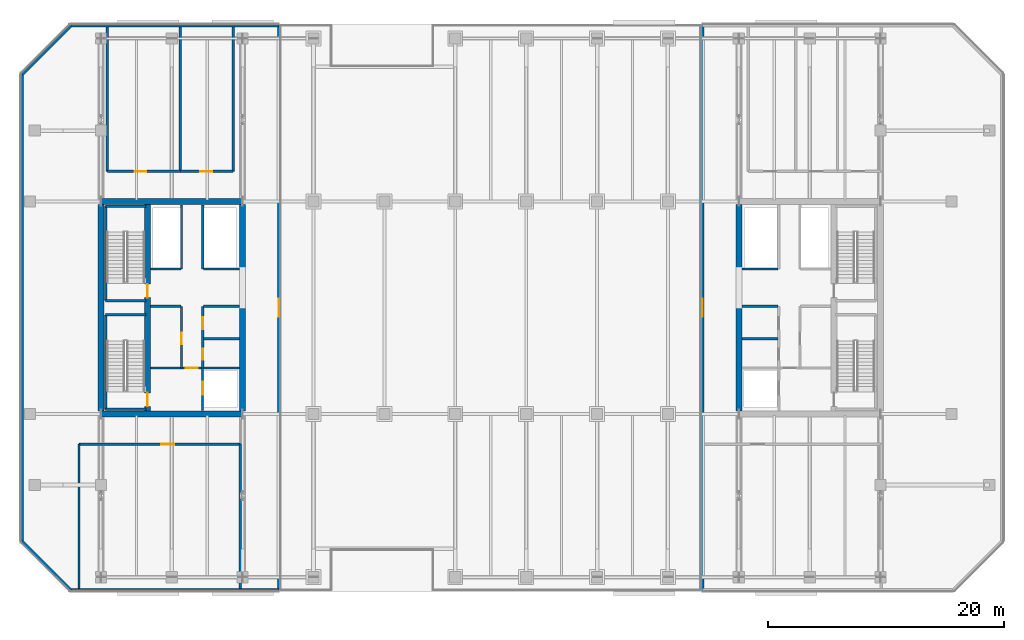
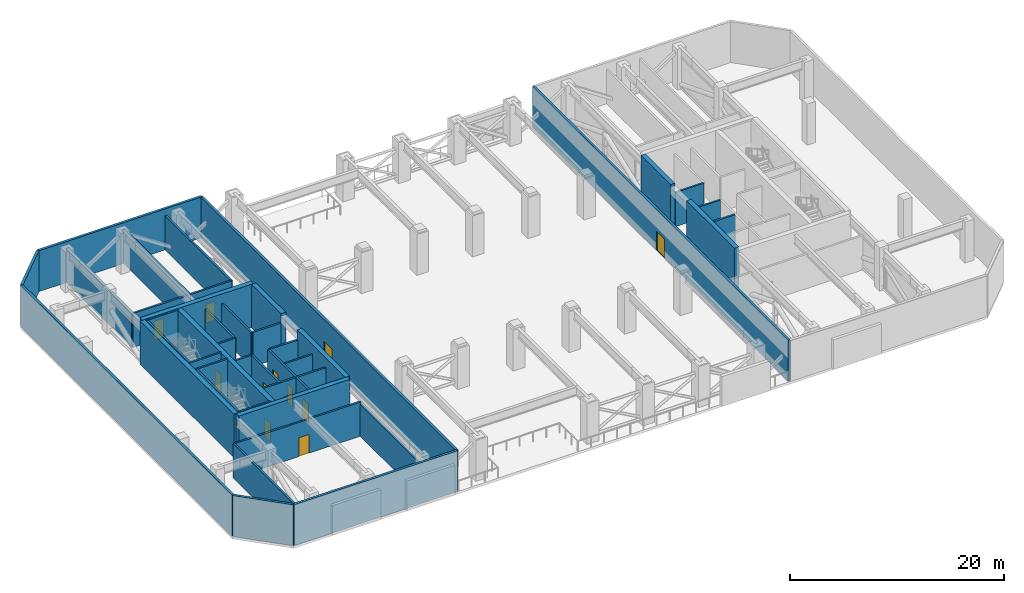
# One storey, part 13 of 21: 43 walls, 12 doors, 12 openings.
"""IFC4 building model written with IfcOpenShell, lengths in metres."""

from ifc_helpers import new_model, si_unit, direction, frame, frame_2d, origin, place, context, subcontext, project, spatial, rectangle, extrude, material, layer, layer_set, type_object, element, fill, save


model = new_model("IFC4")

# Units and contexts
model_context = context("Model", 3, precision=1e-05, world=origin(), true_north=direction((0.0, 1.0)))
body_context = subcontext(model_context, "Body", "Model", "MODEL_VIEW")
ifc_project = project(units=[si_unit("LENGTHUNIT", "METRE"), si_unit("AREAUNIT", "SQUARE_METRE"), si_unit("VOLUMEUNIT", "CUBIC_METRE"), si_unit("PLANEANGLEUNIT", "RADIAN"), si_unit("MASSUNIT", "GRAM", prefix="KILO")], contexts=[model_context])

# Site, building, storey
site_placement = place(None, origin())
site = spatial("IfcSite", under=ifc_project, at=site_placement, CompositionType="ELEMENT")
building_placement = place(site_placement, origin())
building = spatial("IfcBuilding", under=site, at=building_placement, Name="Tanjung Sevakor Pilgrim Tower", CompositionType="ELEMENT")
storey_placement = place(building_placement, frame((0.0, 0.0, 123.090087890625)))
storey = spatial("IfcBuildingStorey", under=building, at=storey_placement, Name="L34", CompositionType="ELEMENT", Elevation=123.090087890625)

# Walls
ifc_material_1 = material(Name="Concrete C60/75", Category="concrete")
ifc_layer_1 = layer(ifc_material_1, 0.5)
ifc_layer_set_1 = layer_set([ifc_layer_1], Name="WALL-CW-500")
wall_type_1 = type_object("IfcWallType", Name="WALL-CW-500", PredefinedType="SHEAR", material=ifc_layer_set_1)
for number, where, z_axis, x_axis, name in (
    (1, (24.0, 24.60009765625, 0.0), (0.0, 0.0, 1.0), (1.0, 0.0, 0.0), "L34 W Core South Shear Wall"),
    (2, (36.0, 42.60009765625, 0.0), (0.0, 0.0, 1.0), (-1.0, 0.0, 0.0), "L34 W Core North Shear Wall"),
):
    element("IfcWall", number, at=place(storey_placement, frame(where, z_axis=z_axis, x_axis=x_axis)), inside=storey, type_object=wall_type_1, Name=name, PredefinedType="SHEAR", context=body_context, shape_type="SweptSolid", body=[
        extrude(rectangle(XDim=12.0, YDim=0.5, at=frame_2d((6.0, 0.0))), origin(), (0.0, 0.0, 1.0), 4.949951171875),
    ])
wall_1_placement = place(storey_placement, frame((24.0, 24.85009765625, 0.0), z_axis=(0.0, 0.0, 1.0), x_axis=(0.0, 1.0, 0.0)))
element("IfcWall", 3, at=wall_1_placement, inside=storey, type_object=wall_type_1, Name="L34 W Core Outer Shear Wall", PredefinedType="SHEAR", context=body_context, shape_type="SweptSolid", body=[
    extrude(rectangle(XDim=17.5, YDim=0.5, at=frame_2d((8.75, 0.0))), origin(), (0.0, 0.0, 1.0), 4.949951171875),
])
wall_2_placement = place(storey_placement, frame((36.0, 24.85009765625, 0.0), z_axis=(0.0, 0.0, 1.0), x_axis=(0.0, 1.0, 0.0)))
element("IfcWall", 4, at=wall_2_placement, inside=storey, type_object=wall_type_1, Name="L34 W Core Inner Shear Wall South", PredefinedType="SHEAR", context=body_context, shape_type="SweptSolid", body=[
    extrude(rectangle(XDim=8.949951171875, YDim=0.5, at=frame_2d((4.47509765625, 0.0))), origin(), (0.0, 0.0, 1.0), 4.949951171875),
])
wall_3_placement = place(storey_placement, frame((36.0, 36.800048828125, 0.0), z_axis=(0.0, 0.0, 1.0), x_axis=(0.0, 1.0, 0.0)))
element("IfcWall", 5, at=wall_3_placement, inside=storey, type_object=wall_type_1, Name="L34 W Core Inner Shear Wall North", PredefinedType="SHEAR", context=body_context, shape_type="SweptSolid", body=[
    extrude(rectangle(XDim=5.550048828125, YDim=0.5, at=frame_2d((2.77490234375, 0.0))), origin(), (0.0, 0.0, 1.0), 4.949951171875),
])

# Wall, openings, doors
wall_4_placement = place(storey_placement, frame((27.949951171875, 24.85009765625, 0.0), z_axis=(0.0, 0.0, 1.0), x_axis=(0.0, 1.0, 0.0)))
wall_4 = element("IfcWall", 6, at=wall_4_placement, inside=storey, type_object=wall_type_1, Name="L34 W Core Stair Spine Wall", PredefinedType="SHEAR", context=body_context, shape_type="SweptSolid", body=[
    extrude(rectangle(XDim=17.5, YDim=0.5, at=frame_2d((8.75, 0.0))), origin(), (0.0, 0.0, 1.0), 4.949951171875),
])
opening_1_placement = place(wall_4_placement, frame((0.39990234375, 0.0, 0.0)))
opening_1 = element("IfcOpeningElement", 7, at=opening_1_placement, cuts=wall_4, Name="Opening ID-ST1", PredefinedType="OPENING", context=body_context, shape_type="SweptSolid", body=[
    extrude(rectangle(XDim=1.14990234375, YDim=2.14990234375, at=frame_2d((0.574951171875, 1.074951171875))), frame((0.0, 0.260009765625, 0.0), z_axis=(0.0, -1.0, 0.0), x_axis=(1.0, 0.0, 0.0)), (0.0, 0.0, 1.0), 0.52001953125),
])
opening_2_placement = place(wall_4_placement, frame((9.60009765625, 0.0, 0.0)))
opening_2 = element("IfcOpeningElement", 8, at=opening_2_placement, cuts=wall_4, Name="Opening ID-ST1", PredefinedType="OPENING", context=body_context, shape_type="SweptSolid", body=[
    extrude(rectangle(XDim=1.14990234375, YDim=2.14990234375, at=frame_2d((0.574951171875, 1.074951171875))), frame((0.0, 0.260009765625, 0.0), z_axis=(0.0, -1.0, 0.0), x_axis=(1.0, 0.0, 0.0)), (0.0, 0.0, 1.0), 0.52001953125),
])
ifc_material_2 = material(Name="Fire-Rated Steel S355J2", Category="steel")
door_type_1 = type_object("IfcDoorType", Name="DT-FIRE-1150", OperationType="NOTDEFINED", PredefinedType="DOOR", material=ifc_material_2)
door_1_placement = place(opening_1_placement, origin())
door_1 = element("IfcDoor", 9, at=door_1_placement, inside=storey, type_object=door_type_1, Name="L34 TS-W1 Stair Fire Door", OperationType="SINGLE_SWING_LEFT", OverallHeight=2.14990234375, OverallWidth=1.14990234375, PredefinedType="DOOR", context=body_context, shape_type="SweptSolid", body=[
    extrude(rectangle(XDim=1.14990234375, YDim=2.14990234375, at=frame_2d((0.574951171875, 1.074951171875))), frame((0.0, 0.02490234375, 0.0), z_axis=(0.0, -1.0, 0.0), x_axis=(1.0, 0.0, 0.0)), (0.0, 0.0, 1.0), 0.050048828125),
])
fill(opening_1, door_1)
door_2_placement = place(opening_2_placement, origin())
door_2 = element("IfcDoor", 10, at=door_2_placement, inside=storey, type_object=door_type_1, Name="L34 TS-W2 Stair Fire Door", OperationType="SINGLE_SWING_RIGHT", OverallHeight=2.14990234375, OverallWidth=1.14990234375, PredefinedType="DOOR", context=body_context, shape_type="SweptSolid", body=[
    extrude(rectangle(XDim=1.14990234375, YDim=2.14990234375, at=frame_2d((0.574951171875, 1.074951171875))), frame((0.0, 0.02490234375, 0.0), z_axis=(0.0, -1.0, 0.0), x_axis=(1.0, 0.0, 0.0)), (0.0, 0.0, 1.0), 0.050048828125),
])
fill(opening_2, door_2)

# Walls
wall_5_placement = place(storey_placement, frame((78.0, 24.85009765625, 0.0), z_axis=(0.0, 0.0, 1.0), x_axis=(0.0, 1.0, 0.0)))
element("IfcWall", 11, at=wall_5_placement, inside=storey, type_object=wall_type_1, Name="L34 E Core Inner Shear Wall South", PredefinedType="SHEAR", context=body_context, shape_type="SweptSolid", body=[
    extrude(rectangle(XDim=8.949951171875, YDim=0.5, at=frame_2d((4.47509765625, 0.0))), origin(), (0.0, 0.0, 1.0), 4.949951171875),
])
wall_6_placement = place(storey_placement, frame((78.0, 36.800048828125, 0.0), z_axis=(0.0, 0.0, 1.0), x_axis=(0.0, 1.0, 0.0)))
element("IfcWall", 12, at=wall_6_placement, inside=storey, type_object=wall_type_1, Name="L34 E Core Inner Shear Wall North", PredefinedType="SHEAR", context=body_context, shape_type="SweptSolid", body=[
    extrude(rectangle(XDim=5.550048828125, YDim=0.5, at=frame_2d((2.77490234375, 0.0))), origin(), (0.0, 0.0, 1.0), 4.949951171875),
])
ifc_material_3 = material(Name="Precast concrete C45/55", Category="concrete")
ifc_layer_2 = layer(ifc_material_3, 0.25)
ifc_layer_set_2 = layer_set([ifc_layer_2], Name="WT-EW-STN3")
wall_type_2 = type_object("IfcWallType", Name="WT-EW-STN3", PredefinedType="SOLIDWALL", material=ifc_layer_set_2)
wall_7_placement = place(storey_placement, frame((21.451904296875, 9.72509765625, 0.0), z_axis=(0.0, 0.0, 1.0), x_axis=(1.0, 0.0, 0.0)))
element("IfcWall", 13, at=wall_7_placement, inside=storey, type_object=wall_type_2, Name="L34 West Refuge Wing Wall 1", PredefinedType="SOLIDWALL", context=body_context, shape_type="SweptSolid", body=[
    extrude(rectangle(XDim=17.623046875, YDim=0.25, at=frame_2d((8.8115234375, 0.0))), origin(), (0.0, 0.0, 1.0), 4.669921875),
])

# Wall, opening, door
wall_8_placement = place(storey_placement, frame((39.074951171875, 9.72509765625, 0.0), z_axis=(0.0, 0.0, 1.0), x_axis=(0.0, 1.0, 0.0)))
wall_8 = element("IfcWall", 14, at=wall_8_placement, inside=storey, type_object=wall_type_2, Name="L34 West Refuge Wing Wall 2", PredefinedType="SOLIDWALL", context=body_context, shape_type="SweptSolid", body=[
    extrude(rectangle(XDim=47.75, YDim=0.25, at=frame_2d((23.875, 0.0))), origin(), (0.0, 0.0, 1.0), 4.669921875),
])
opening_3_placement = place(wall_8_placement, frame((23.125, 0.0, 0.0)))
opening_3 = element("IfcOpeningElement", 15, at=opening_3_placement, cuts=wall_8, Name="Opening ED-TER-1500", PredefinedType="OPENING", context=body_context, shape_type="SweptSolid", body=[
    extrude(rectangle(XDim=1.5, YDim=2.199951171875, at=frame_2d((0.75, 1.10009765625))), frame((0.0, 0.135009765625, 0.0), z_axis=(0.0, -1.0, 0.0), x_axis=(1.0, 0.0, 0.0)), (0.0, 0.0, 1.0), 0.27001953125),
])
ifc_material_4 = material(Name="Anodised Aluminium and Laminated Glass", Category="aluminium")
door_type_2 = type_object("IfcDoorType", Name="DTYP-ED-TER-1500", OperationType="DOUBLE_DOOR_SINGLE_SWING", PredefinedType="DOOR", material=ifc_material_4)
door_3_placement = place(opening_3_placement, origin())
door_3 = element("IfcDoor", 16, at=door_3_placement, inside=storey, type_object=door_type_2, Name="L34 West Turbine Portal Door", OperationType="SINGLE_SWING_RIGHT", OverallHeight=2.199951171875, OverallWidth=1.5, PredefinedType="DOOR", context=body_context, shape_type="SweptSolid", body=[
    extrude(rectangle(XDim=1.5, YDim=2.199951171875, at=frame_2d((0.75, 1.10009765625))), frame((0.0, 0.02490234375, 0.0), z_axis=(0.0, -1.0, 0.0), x_axis=(1.0, 0.0, 0.0)), (0.0, 0.0, 1.0), 0.050048828125),
])
fill(opening_3, door_3)

# Walls
wall_9_placement = place(storey_placement, frame((39.074951171875, 57.47509765625, 0.0), z_axis=(0.0, 0.0, 1.0), x_axis=(-1.0, 0.0, 0.0)))
element("IfcWall", 17, at=wall_9_placement, inside=storey, type_object=wall_type_2, Name="L34 West Refuge Wing Wall 3", PredefinedType="SOLIDWALL", context=body_context, shape_type="SweptSolid", body=[
    extrude(rectangle(XDim=17.623046875, YDim=0.25, at=frame_2d((8.8115234375, 0.0))), origin(), (0.0, 0.0, 1.0), 4.669921875),
])
wall_10_placement = place(storey_placement, frame((21.451904296875, 57.47509765625, 0.0), z_axis=(0.0, 0.0, 1.0), x_axis=(-0.707106781187, -0.707106781187, 0.0)))
element("IfcWall", 18, at=wall_10_placement, inside=storey, type_object=wall_type_2, Name="L34 West Refuge Wing Wall 4", PredefinedType="SOLIDWALL", context=body_context, shape_type="SweptSolid", body=[
    extrude(rectangle(XDim=5.83642578125, YDim=0.25, at=frame_2d((2.918212890625, 0.0))), origin(), (0.0, 0.0, 1.0), 4.669921875),
])
wall_11_placement = place(storey_placement, frame((17.324951171875, 53.34814453125, 0.0), z_axis=(0.0, 0.0, 1.0), x_axis=(0.0, -1.0, 0.0)))
element("IfcWall", 19, at=wall_11_placement, inside=storey, type_object=wall_type_2, Name="L34 West Refuge Wing Wall 5", PredefinedType="SOLIDWALL", context=body_context, shape_type="SweptSolid", body=[
    extrude(rectangle(XDim=39.496337890625, YDim=0.25, at=frame_2d((19.748046875, 0.0))), origin(), (0.0, 0.0, 1.0), 4.669921875),
])
wall_12_placement = place(storey_placement, frame((17.324951171875, 13.851806640625, 0.0), z_axis=(0.0, 0.0, 1.0), x_axis=(0.707127696864, -0.70708586489, 0.0)))
element("IfcWall", 20, at=wall_12_placement, inside=storey, type_object=wall_type_2, Name="L34 West Refuge Wing Wall 6", PredefinedType="SOLIDWALL", context=body_context, shape_type="SweptSolid", body=[
    extrude(rectangle(XDim=5.836181640625, YDim=0.25, at=frame_2d((2.91796875, 0.0))), origin(), (0.0, 0.0, 1.0), 4.669921875),
])

# Wall, opening, door
wall_13_placement = place(storey_placement, frame((74.925048828125, 57.47509765625, 0.0), z_axis=(0.0, 0.0, 1.0), x_axis=(0.0, -1.0, 0.0)))
wall_13 = element("IfcWall", 21, at=wall_13_placement, inside=storey, type_object=wall_type_2, Name="L34 East Refuge Wing Wall 6", PredefinedType="SOLIDWALL", context=body_context, shape_type="SweptSolid", body=[
    extrude(rectangle(XDim=47.75, YDim=0.25, at=frame_2d((23.875, 0.0))), origin(), (0.0, 0.0, 1.0), 4.669921875),
])
opening_4_placement = place(wall_13_placement, frame((23.125, 0.0, 0.0)))
opening_4 = element("IfcOpeningElement", 22, at=opening_4_placement, cuts=wall_13, Name="Opening ED-TER-1500", PredefinedType="OPENING", context=body_context, shape_type="SweptSolid", body=[
    extrude(rectangle(XDim=1.5, YDim=2.199951171875, at=frame_2d((0.75, 1.10009765625))), frame((0.0, 0.135009765625, 0.0), z_axis=(0.0, -1.0, 0.0), x_axis=(1.0, 0.0, 0.0)), (0.0, 0.0, 1.0), 0.27001953125),
])
door_4_placement = place(opening_4_placement, origin())
door_4 = element("IfcDoor", 23, at=door_4_placement, inside=storey, type_object=door_type_2, Name="L34 East Turbine Portal Door", OperationType="SINGLE_SWING_LEFT", OverallHeight=2.199951171875, OverallWidth=1.5, PredefinedType="DOOR", context=body_context, shape_type="SweptSolid", body=[
    extrude(rectangle(XDim=1.5, YDim=2.199951171875, at=frame_2d((0.75, 1.10009765625))), frame((0.0, 0.02490234375, 0.0), z_axis=(0.0, -1.0, 0.0), x_axis=(1.0, 0.0, 0.0)), (0.0, 0.0, 1.0), 0.050048828125),
])
fill(opening_4, door_4)

# Walls
ifc_material_5 = material(Name="Concrete C40/50", Category="concrete")
ifc_layer_3 = layer(ifc_material_5, 0.199951171875)
ifc_layer_set_3 = layer_set([ifc_layer_3], Name="WT-FIRE-200")
wall_type_3 = type_object("IfcWallType", Name="WT-FIRE-200", PredefinedType="SOLIDWALL", material=ifc_layer_set_3)
for number, where, z_axis, x_axis, name in (
    (24, (24.39990234375, 25.0, 0.0), (0.0, 0.0, 1.0), (1.0, 0.0, 0.0), "L34 TS-W1 Shaft Wall 1"),
    (25, (27.800048828125, 33.0, 0.0), (0.0, 0.0, 1.0), (-1.0, 0.0, 0.0), "L34 TS-W1 Shaft Wall 2"),
):
    element("IfcWall", number, at=place(storey_placement, frame(where, z_axis=z_axis, x_axis=x_axis)), inside=storey, type_object=wall_type_3, Name=name, PredefinedType="SOLIDWALL", context=body_context, shape_type="SweptSolid", body=[
        extrude(rectangle(XDim=3.400146484375, YDim=0.199951171875, at=frame_2d((1.7001953125, 0.0))), origin(), (0.0, 0.0, 1.0), 4.949951171875),
    ])
wall_14_placement = place(storey_placement, frame((24.39990234375, 33.0, 0.0), z_axis=(0.0, 0.0, 1.0), x_axis=(0.0, -1.0, 0.0)))
element("IfcWall", 26, at=wall_14_placement, inside=storey, type_object=wall_type_3, Name="L34 TS-W1 Shaft Wall 3", PredefinedType="SOLIDWALL", context=body_context, shape_type="SweptSolid", body=[
    extrude(rectangle(XDim=8.0, YDim=0.199951171875, at=frame_2d((4.0, 0.0))), origin(), (0.0, 0.0, 1.0), 4.949951171875),
])
for number, where, z_axis, x_axis, name in (
    (27, (24.39990234375, 34.199951171875, 0.0), (0.0, 0.0, 1.0), (1.0, 0.0, 0.0), "L34 TS-W2 Shaft Wall 1"),
    (28, (27.800048828125, 42.199951171875, 0.0), (0.0, 0.0, 1.0), (-1.0, 0.0, 0.0), "L34 TS-W2 Shaft Wall 2"),
):
    element("IfcWall", number, at=place(storey_placement, frame(where, z_axis=z_axis, x_axis=x_axis)), inside=storey, type_object=wall_type_3, Name=name, PredefinedType="SOLIDWALL", context=body_context, shape_type="SweptSolid", body=[
        extrude(rectangle(XDim=3.400146484375, YDim=0.199951171875, at=frame_2d((1.7001953125, 0.0))), origin(), (0.0, 0.0, 1.0), 4.949951171875),
    ])
wall_15_placement = place(storey_placement, frame((24.39990234375, 42.199951171875, 0.0), z_axis=(0.0, 0.0, 1.0), x_axis=(0.0, -1.0, 0.0)))
element("IfcWall", 29, at=wall_15_placement, inside=storey, type_object=wall_type_3, Name="L34 TS-W2 Shaft Wall 3", PredefinedType="SOLIDWALL", context=body_context, shape_type="SweptSolid", body=[
    extrude(rectangle(XDim=8.0, YDim=0.199951171875, at=frame_2d((4.0, 0.0))), origin(), (0.0, 0.0, 1.0), 4.949951171875),
])

# Wall, opening, door
ifc_material_6 = material(Name="Concrete C40/50", Category="concrete")
ifc_layer_4 = layer(ifc_material_6, 0.199951171875)
ifc_layer_set_4 = layer_set([ifc_layer_4], Name="WT-FPRT-200")
wall_type_4 = type_object("IfcWallType", Name="WT-FPRT-200", PredefinedType="SOLIDWALL", material=ifc_layer_set_4)
wall_16_placement = place(storey_placement, frame((32.60009765625, 24.919921875, 0.0), z_axis=(0.0, 0.0, 1.0), x_axis=(0.0, 1.0, 0.0)))
wall_16 = element("IfcWall", 30, at=wall_16_placement, inside=storey, type_object=wall_type_4, Name="L34 Partition IW-L34-001", PredefinedType="SOLIDWALL", context=body_context, shape_type="SweptSolid", body=[
    extrude(rectangle(XDim=3.580078125, YDim=0.199951171875, at=frame_2d((1.7900390625, 0.0))), origin(), (0.0, 0.0, 1.0), 3.889892578125),
])
opening_5_placement = place(wall_16_placement, frame((1.300048828125, 0.0, 0.0)))
opening_5 = element("IfcOpeningElement", 31, at=opening_5_placement, cuts=wall_16, Name="Opening LD-1100", PredefinedType="OPENING", context=body_context, shape_type="SweptSolid", body=[
    extrude(rectangle(XDim=1.10009765625, YDim=2.199951171875, at=frame_2d((0.550048828125, 1.10009765625))), frame((0.0, 0.10986328125, 0.0), z_axis=(0.0, -1.0, 0.0), x_axis=(1.0, 0.0, 0.0)), (0.0, 0.0, 1.0), 0.219970703125),
])
ifc_material_7 = material(Name="Brushed Stainless Steel S355J2", Category="steel")
door_type_3 = type_object("IfcDoorType", Name="DT-LIFT-1100", OperationType="SLIDING_TO_LEFT", PredefinedType="DOOR", material=ifc_material_7)
door_5_placement = place(opening_5_placement, origin())
door_5 = element("IfcDoor", 32, at=door_5_placement, inside=storey, type_object=door_type_3, Name="LD-FL-W", OperationType="SLIDING_TO_LEFT", OverallHeight=2.199951171875, OverallWidth=1.10009765625, PredefinedType="DOOR", context=body_context, shape_type="SweptSolid", body=[
    extrude(rectangle(XDim=1.10009765625, YDim=2.199951171875, at=frame_2d((0.550048828125, 1.10009765625))), frame((0.0, 0.02490234375, 0.0), z_axis=(0.0, -1.0, 0.0), x_axis=(1.0, 0.0, 0.0)), (0.0, 0.0, 1.0), 0.050048828125),
])
fill(opening_5, door_5)

wall_17_placement = place(storey_placement, frame((28.219970703125, 28.5, 0.0), z_axis=(0.0, 0.0, 1.0), x_axis=(1.0, 0.0, 0.0)))
wall_17 = element("IfcWall", 33, at=wall_17_placement, inside=storey, type_object=wall_type_4, Name="L34 Partition IW-L34-002", PredefinedType="SOLIDWALL", context=body_context, shape_type="SweptSolid", body=[
    extrude(rectangle(XDim=7.510009765625, YDim=0.199951171875, at=frame_2d((3.7548828125, 0.0))), origin(), (0.0, 0.0, 1.0), 3.889892578125),
])
opening_6_placement = place(wall_17_placement, frame((2.97998046875, 0.0, 0.0)))
opening_6 = element("IfcOpeningElement", 34, at=opening_6_placement, cuts=wall_17, Name="Opening ID-FD1", PredefinedType="OPENING", context=body_context, shape_type="SweptSolid", body=[
    extrude(rectangle(XDim=1.0, YDim=2.14990234375, at=frame_2d((0.5, 1.074951171875))), frame((0.0, 0.10986328125, 0.0), z_axis=(0.0, -1.0, 0.0), x_axis=(1.0, 0.0, 0.0)), (0.0, 0.0, 1.0), 0.219970703125),
])
ifc_material_8 = material(Name="Fire-Rated Steel S355J2", Category="steel")
door_type_4 = type_object("IfcDoorType", Name="DT-FIRE-1000", OperationType="NOTDEFINED", PredefinedType="DOOR", material=ifc_material_8)
door_6_placement = place(opening_6_placement, origin())
door_6 = element("IfcDoor", 35, at=door_6_placement, inside=storey, type_object=door_type_4, Name="Fire Lobby Door W", OperationType="SINGLE_SWING_LEFT", OverallHeight=2.14990234375, OverallWidth=1.0, PredefinedType="DOOR", context=body_context, shape_type="SweptSolid", body=[
    extrude(rectangle(XDim=1.0, YDim=2.14990234375, at=frame_2d((0.5, 1.074951171875))), frame((0.0, 0.02490234375, 0.0), z_axis=(0.0, -1.0, 0.0), x_axis=(1.0, 0.0, 0.0)), (0.0, 0.0, 1.0), 0.050048828125),
])
fill(opening_6, door_6)

# Wall
wall_18_placement = place(storey_placement, frame((28.219970703125, 33.719970703125, 0.0), z_axis=(0.0, 0.0, 1.0), x_axis=(1.0, 0.0, 0.0)))
element("IfcWall", 36, at=wall_18_placement, inside=storey, type_object=wall_type_4, Name="L34 Partition IW-L34-003", PredefinedType="SOLIDWALL", context=body_context, shape_type="SweptSolid", body=[
    extrude(rectangle(XDim=2.580078125, YDim=0.199951171875, at=frame_2d((1.2900390625, 0.0))), origin(), (0.0, 0.0, 1.0), 3.889892578125),
])

# Wall, opening, door
wall_19_placement = place(storey_placement, frame((30.820068359375, 28.5, 0.0), z_axis=(0.0, 0.0, 1.0), x_axis=(0.0, 1.0, 0.0)))
wall_19 = element("IfcWall", 37, at=wall_19_placement, inside=storey, type_object=wall_type_4, Name="L34 Partition IW-L34-004", PredefinedType="SOLIDWALL", context=body_context, shape_type="SweptSolid", body=[
    extrude(rectangle(XDim=5.219970703125, YDim=0.199951171875, at=frame_2d((2.60986328125, 0.0))), origin(), (0.0, 0.0, 1.0), 3.889892578125),
])
opening_7_placement = place(wall_19_placement, frame((2.0, 0.0, 0.0)))
opening_7 = element("IfcOpeningElement", 38, at=opening_7_placement, cuts=wall_19, Name="Opening ID-FD1", PredefinedType="OPENING", context=body_context, shape_type="SweptSolid", body=[
    extrude(rectangle(XDim=1.0, YDim=2.14990234375, at=frame_2d((0.5, 1.074951171875))), frame((0.0, 0.10986328125, 0.0), z_axis=(0.0, -1.0, 0.0), x_axis=(1.0, 0.0, 0.0)), (0.0, 0.0, 1.0), 0.219970703125),
])
door_7_placement = place(opening_7_placement, origin())
door_7 = element("IfcDoor", 39, at=door_7_placement, inside=storey, type_object=door_type_4, Name="L34 Core Plant Door", OperationType="SINGLE_SWING_RIGHT", OverallHeight=2.14990234375, OverallWidth=1.0, PredefinedType="DOOR", context=body_context, shape_type="SweptSolid", body=[
    extrude(rectangle(XDim=1.0, YDim=2.14990234375, at=frame_2d((0.5, 1.074951171875))), frame((0.0, 0.02490234375, 0.0), z_axis=(0.0, -1.0, 0.0), x_axis=(1.0, 0.0, 0.0)), (0.0, 0.0, 1.0), 0.050048828125),
])
fill(opening_7, door_7)

# Walls
for number, where, z_axis, x_axis, name in (
    (40, (32.679931640625, 30.97998046875, 0.0), (0.0, 0.0, 1.0), (1.0, 0.0, 0.0), "L34 Partition IW-L34-005"),
    (41, (32.679931640625, 33.719970703125, 0.0), (0.0, 0.0, 1.0), (1.0, 0.0, 0.0), "L34 Partition IW-L34-006"),
):
    element("IfcWall", number, at=place(storey_placement, frame(where, z_axis=z_axis, x_axis=x_axis)), inside=storey, type_object=wall_type_4, Name=name, PredefinedType="SOLIDWALL", context=body_context, shape_type="SweptSolid", body=[
        extrude(rectangle(XDim=3.050048828125, YDim=0.199951171875, at=frame_2d((1.52490234375, 0.0))), origin(), (0.0, 0.0, 1.0), 3.889892578125),
    ])

# Wall, openings, doors
wall_20_placement = place(storey_placement, frame((32.6201171875, 28.5, 0.0), z_axis=(0.0, 0.0, 1.0), x_axis=(0.0, 1.0, 0.0)))
wall_20 = element("IfcWall", 42, at=wall_20_placement, inside=storey, type_object=wall_type_4, Name="L34 Partition IW-L34-007", PredefinedType="SOLIDWALL", context=body_context, shape_type="SweptSolid", body=[
    extrude(rectangle(XDim=5.219970703125, YDim=0.199951171875, at=frame_2d((2.60986328125, 0.0))), origin(), (0.0, 0.0, 1.0), 3.889892578125),
])
opening_8_placement = place(wall_20_placement, frame((0.699951171875, 0.0, 0.0)))
opening_8 = element("IfcOpeningElement", 43, at=opening_8_placement, cuts=wall_20, Name="Opening ID-FD2", PredefinedType="OPENING", context=body_context, shape_type="SweptSolid", body=[
    extrude(rectangle(XDim=0.949951171875, YDim=2.14990234375, at=frame_2d((0.47509765625, 1.074951171875))), frame((0.0, 0.10986328125, 0.0), z_axis=(0.0, -1.0, 0.0), x_axis=(1.0, 0.0, 0.0)), (0.0, 0.0, 1.0), 0.219970703125),
])
opening_9_placement = place(wall_20_placement, frame((3.300048828125, 0.0, 0.0)))
opening_9 = element("IfcOpeningElement", 44, at=opening_9_placement, cuts=wall_20, Name="Opening ID-FD1", PredefinedType="OPENING", context=body_context, shape_type="SweptSolid", body=[
    extrude(rectangle(XDim=1.0, YDim=2.14990234375, at=frame_2d((0.5, 1.074951171875))), frame((0.0, 0.10986328125, 0.0), z_axis=(0.0, -1.0, 0.0), x_axis=(1.0, 0.0, 0.0)), (0.0, 0.0, 1.0), 0.219970703125),
])
door_8_placement = place(opening_9_placement, origin())
door_8 = element("IfcDoor", 45, at=door_8_placement, inside=storey, type_object=door_type_4, Name="L34 Core AHU Plant Door", OperationType="SINGLE_SWING_RIGHT", OverallHeight=2.14990234375, OverallWidth=1.0, PredefinedType="DOOR", context=body_context, shape_type="SweptSolid", body=[
    extrude(rectangle(XDim=1.0, YDim=2.14990234375, at=frame_2d((0.5, 1.074951171875))), frame((0.0, 0.02490234375, 0.0), z_axis=(0.0, -1.0, 0.0), x_axis=(1.0, 0.0, 0.0)), (0.0, 0.0, 1.0), 0.050048828125),
])
fill(opening_9, door_8)
ifc_material_9 = material(Name="Fire-Rated Timber", Category="wood")
door_type_5 = type_object("IfcDoorType", Name="DT-FIRE-950", OperationType="NOTDEFINED", PredefinedType="DOOR", material=ifc_material_9)
door_9_placement = place(opening_8_placement, origin())
door_9 = element("IfcDoor", 46, at=door_9_placement, inside=storey, type_object=door_type_5, Name="L34 Core Accessible WC Door", OperationType="SINGLE_SWING_LEFT", OverallHeight=2.14990234375, OverallWidth=0.949951171875, PredefinedType="DOOR", context=body_context, shape_type="SweptSolid", body=[
    extrude(rectangle(XDim=0.949951171875, YDim=2.14990234375, at=frame_2d((0.47509765625, 1.074951171875))), frame((0.0, 0.02490234375, 0.0), z_axis=(0.0, -1.0, 0.0), x_axis=(1.0, 0.0, 0.0)), (0.0, 0.0, 1.0), 0.050048828125),
])
fill(opening_8, door_9)

# Walls
wall_21_placement = place(storey_placement, frame((28.219970703125, 36.8798828125, 0.0), z_axis=(0.0, 0.0, 1.0), x_axis=(1.0, 0.0, 0.0)))
element("IfcWall", 47, at=wall_21_placement, inside=storey, type_object=wall_type_4, Name="L34 Partition IW-L34-008", PredefinedType="SOLIDWALL", context=body_context, shape_type="SweptSolid", body=[
    extrude(rectangle(XDim=2.580078125, YDim=0.199951171875, at=frame_2d((1.2900390625, 0.0))), origin(), (0.0, 0.0, 1.0), 3.889892578125),
])
wall_22_placement = place(storey_placement, frame((30.820068359375, 36.8798828125, 0.0), z_axis=(0.0, 0.0, 1.0), x_axis=(0.0, 1.0, 0.0)))
element("IfcWall", 48, at=wall_22_placement, inside=storey, type_object=wall_type_4, Name="L34 Partition IW-L34-009", PredefinedType="SOLIDWALL", context=body_context, shape_type="SweptSolid", body=[
    extrude(rectangle(XDim=5.420166015625, YDim=0.199951171875, at=frame_2d((2.7099609375, 0.0))), origin(), (0.0, 0.0, 1.0), 3.889892578125),
])
wall_23_placement = place(storey_placement, frame((32.679931640625, 36.8798828125, 0.0), z_axis=(0.0, 0.0, 1.0), x_axis=(1.0, 0.0, 0.0)))
element("IfcWall", 49, at=wall_23_placement, inside=storey, type_object=wall_type_4, Name="L34 Partition IW-L34-010", PredefinedType="SOLIDWALL", context=body_context, shape_type="SweptSolid", body=[
    extrude(rectangle(XDim=3.050048828125, YDim=0.199951171875, at=frame_2d((1.52490234375, 0.0))), origin(), (0.0, 0.0, 1.0), 3.889892578125),
])
wall_24_placement = place(storey_placement, frame((32.6201171875, 36.8798828125, 0.0), z_axis=(0.0, 0.0, 1.0), x_axis=(0.0, 1.0, 0.0)))
element("IfcWall", 50, at=wall_24_placement, inside=storey, type_object=wall_type_4, Name="L34 Partition IW-L34-011", PredefinedType="SOLIDWALL", context=body_context, shape_type="SweptSolid", body=[
    extrude(rectangle(XDim=5.420166015625, YDim=0.199951171875, at=frame_2d((2.7099609375, 0.0))), origin(), (0.0, 0.0, 1.0), 3.889892578125),
])
for number, where, z_axis, x_axis, name in (
    (51, (78.27001953125, 30.97998046875, 0.0), (0.0, 0.0, 1.0), (1.0, 0.0, 0.0), "L34 Partition IW-L34-016"),
    (52, (78.27001953125, 33.719970703125, 0.0), (0.0, 0.0, 1.0), (1.0, 0.0, 0.0), "L34 Partition IW-L34-017"),
    (53, (78.27001953125, 36.8798828125, 0.0), (0.0, 0.0, 1.0), (1.0, 0.0, 0.0), "L34 Partition IW-L34-021"),
):
    element("IfcWall", number, at=place(storey_placement, frame(where, z_axis=z_axis, x_axis=x_axis)), inside=storey, type_object=wall_type_4, Name=name, PredefinedType="SOLIDWALL", context=body_context, shape_type="SweptSolid", body=[
        extrude(rectangle(XDim=3.050048828125, YDim=0.199951171875, at=frame_2d((1.52490234375, 0.0))), origin(), (0.0, 0.0, 1.0), 3.889892578125),
    ])

# Wall, opening, door
wall_25_placement = place(storey_placement, frame((22.14990234375, 22.050048828125, 0.0), z_axis=(0.0, 0.0, 1.0), x_axis=(1.0, 0.0, 0.0)))
wall_25 = element("IfcWall", 54, at=wall_25_placement, inside=storey, type_object=wall_type_4, Name="L34 Partition IW-L34-023", PredefinedType="SOLIDWALL", context=body_context, shape_type="SweptSolid", body=[
    extrude(rectangle(XDim=13.650146484375, YDim=0.199951171875, at=frame_2d((6.8251953125, 0.0))), origin(), (0.0, 0.0, 1.0), 3.889892578125),
])
opening_10_placement = place(wall_25_placement, frame((6.949951171875, 0.0, 0.0)))
opening_10 = element("IfcOpeningElement", 55, at=opening_10_placement, cuts=wall_25, Name="Opening ID-FD0", PredefinedType="OPENING", context=body_context, shape_type="SweptSolid", body=[
    extrude(rectangle(XDim=1.10009765625, YDim=2.14990234375, at=frame_2d((0.550048828125, 1.074951171875))), frame((0.0, 0.10986328125, 0.0), z_axis=(0.0, -1.0, 0.0), x_axis=(1.0, 0.0, 0.0)), (0.0, 0.0, 1.0), 0.219970703125),
])
ifc_material_10 = material(Name="Fire-Rated Steel S355J2", Category="steel")
door_type_6 = type_object("IfcDoorType", Name="DT-FIRE-1100", OperationType="NOTDEFINED", PredefinedType="DOOR", material=ifc_material_10)
door_10_placement = place(opening_10_placement, origin())
door_10 = element("IfcDoor", 56, at=door_10_placement, inside=storey, type_object=door_type_6, Name="L34 Refuge West Lobby Door", OperationType="SINGLE_SWING_RIGHT", OverallHeight=2.14990234375, OverallWidth=1.10009765625, PredefinedType="DOOR", context=body_context, shape_type="SweptSolid", body=[
    extrude(rectangle(XDim=1.10009765625, YDim=2.14990234375, at=frame_2d((0.550048828125, 1.074951171875))), frame((0.0, 0.02490234375, 0.0), z_axis=(0.0, -1.0, 0.0), x_axis=(1.0, 0.0, 0.0)), (0.0, 0.0, 1.0), 0.050048828125),
])
fill(opening_10, door_10)

# Walls
wall_26_placement = place(storey_placement, frame((22.14990234375, 9.85009765625, 0.0), z_axis=(0.0, 0.0, 1.0), x_axis=(0.0, 1.0, 0.0)))
element("IfcWall", 57, at=wall_26_placement, inside=storey, type_object=wall_type_4, Name="L34 Partition IW-L34-024", PredefinedType="SOLIDWALL", context=body_context, shape_type="SweptSolid", body=[
    extrude(rectangle(XDim=12.199951171875, YDim=0.199951171875, at=frame_2d((6.10009765625, 0.0))), origin(), (0.0, 0.0, 1.0), 3.889892578125),
])
wall_27_placement = place(storey_placement, frame((35.800048828125, 9.85009765625, 0.0), z_axis=(0.0, 0.0, 1.0), x_axis=(0.0, 1.0, 0.0)))
element("IfcWall", 58, at=wall_27_placement, inside=storey, type_object=wall_type_4, Name="L34 Partition IW-L34-025", PredefinedType="SOLIDWALL", context=body_context, shape_type="SweptSolid", body=[
    extrude(rectangle(XDim=12.199951171875, YDim=0.199951171875, at=frame_2d((6.10009765625, 0.0))), origin(), (0.0, 0.0, 1.0), 3.64697265625),
])

# Wall, opening, door
wall_28_placement = place(storey_placement, frame((24.550048828125, 45.14990234375, 0.0), z_axis=(0.0, 0.0, 1.0), x_axis=(1.0, 0.0, 0.0)))
wall_28 = element("IfcWall", 59, at=wall_28_placement, inside=storey, type_object=wall_type_4, Name="L34 Partition IW-L34-026", PredefinedType="SOLIDWALL", context=body_context, shape_type="SweptSolid", body=[
    extrude(rectangle(XDim=6.179931640625, YDim=0.199951171875, at=frame_2d((3.08984375, 0.0))), origin(), (0.0, 0.0, 1.0), 3.889892578125),
])
opening_11_placement = place(wall_28_placement, frame((2.300048828125, 0.0, 0.0)))
opening_11 = element("IfcOpeningElement", 60, at=opening_11_placement, cuts=wall_28, Name="Opening ID-FD1", PredefinedType="OPENING", context=body_context, shape_type="SweptSolid", body=[
    extrude(rectangle(XDim=1.0, YDim=2.14990234375, at=frame_2d((0.5, 1.074951171875))), frame((0.0, 0.10986328125, 0.0), z_axis=(0.0, -1.0, 0.0), x_axis=(1.0, 0.0, 0.0)), (0.0, 0.0, 1.0), 0.219970703125),
])
door_11_placement = place(opening_11_placement, origin())
door_11 = element("IfcDoor", 61, at=door_11_placement, inside=storey, type_object=door_type_4, Name="L34 West Tank Plant Door", OperationType="SINGLE_SWING_LEFT", OverallHeight=2.14990234375, OverallWidth=1.0, PredefinedType="DOOR", context=body_context, shape_type="SweptSolid", body=[
    extrude(rectangle(XDim=1.0, YDim=2.14990234375, at=frame_2d((0.5, 1.074951171875))), frame((0.0, 0.02490234375, 0.0), z_axis=(0.0, -1.0, 0.0), x_axis=(1.0, 0.0, 0.0)), (0.0, 0.0, 1.0), 0.050048828125),
])
fill(opening_11, door_11)

# Walls
for number, where, z_axis, x_axis, name in (
    (62, (24.550048828125, 45.14990234375, 0.0), (0.0, 0.0, 1.0), (0.0, 1.0, 0.0), "L34 Partition IW-L34-027"),
    (63, (30.72998046875, 45.14990234375, 0.0), (0.0, 0.0, 1.0), (0.0, 1.0, 0.0), "L34 Partition IW-L34-028"),
):
    element("IfcWall", number, at=place(storey_placement, frame(where, z_axis=z_axis, x_axis=x_axis)), inside=storey, type_object=wall_type_4, Name=name, PredefinedType="SOLIDWALL", context=body_context, shape_type="SweptSolid", body=[
        extrude(rectangle(XDim=12.2001953125, YDim=0.199951171875, at=frame_2d((6.10009765625, 0.0))), origin(), (0.0, 0.0, 1.0), 3.889892578125),
    ])

# Wall, opening, door
wall_29_placement = place(storey_placement, frame((30.72998046875, 45.14990234375, 0.0), z_axis=(0.0, 0.0, 1.0), x_axis=(1.0, 0.0, 0.0)))
wall_29 = element("IfcWall", 64, at=wall_29_placement, inside=storey, type_object=wall_type_4, Name="L34 Partition IW-L34-029", PredefinedType="SOLIDWALL", context=body_context, shape_type="SweptSolid", body=[
    extrude(rectangle(XDim=4.469970703125, YDim=0.199951171875, at=frame_2d((2.23486328125, 0.0))), origin(), (0.0, 0.0, 1.0), 3.889892578125),
])
opening_12_placement = place(wall_29_placement, frame((1.699951171875, 0.0, 0.0)))
opening_12 = element("IfcOpeningElement", 65, at=opening_12_placement, cuts=wall_29, Name="Opening ID-FD1", PredefinedType="OPENING", context=body_context, shape_type="SweptSolid", body=[
    extrude(rectangle(XDim=1.0, YDim=2.14990234375, at=frame_2d((0.5, 1.074951171875))), frame((0.0, 0.10986328125, 0.0), z_axis=(0.0, -1.0, 0.0), x_axis=(1.0, 0.0, 0.0)), (0.0, 0.0, 1.0), 0.219970703125),
])
door_12_placement = place(opening_12_placement, origin())
door_12 = element("IfcDoor", 66, at=door_12_placement, inside=storey, type_object=door_type_4, Name="L34 West AHU Plant Door", OperationType="SINGLE_SWING_RIGHT", OverallHeight=2.14990234375, OverallWidth=1.0, PredefinedType="DOOR", context=body_context, shape_type="SweptSolid", body=[
    extrude(rectangle(XDim=1.0, YDim=2.14990234375, at=frame_2d((0.5, 1.074951171875))), frame((0.0, 0.02490234375, 0.0), z_axis=(0.0, -1.0, 0.0), x_axis=(1.0, 0.0, 0.0)), (0.0, 0.0, 1.0), 0.050048828125),
])
fill(opening_12, door_12)

# Wall
wall_30_placement = place(storey_placement, frame((35.199951171875, 45.14990234375, 0.0), z_axis=(0.0, 0.0, 1.0), x_axis=(0.0, 1.0, 0.0)))
element("IfcWall", 67, at=wall_30_placement, inside=storey, type_object=wall_type_4, Name="L34 Partition IW-L34-030", PredefinedType="SOLIDWALL", context=body_context, shape_type="SweptSolid", body=[
    extrude(rectangle(XDim=12.2001953125, YDim=0.199951171875, at=frame_2d((6.10009765625, 0.0))), origin(), (0.0, 0.0, 1.0), 3.889892578125),
])

save(model, "model.ifc")
